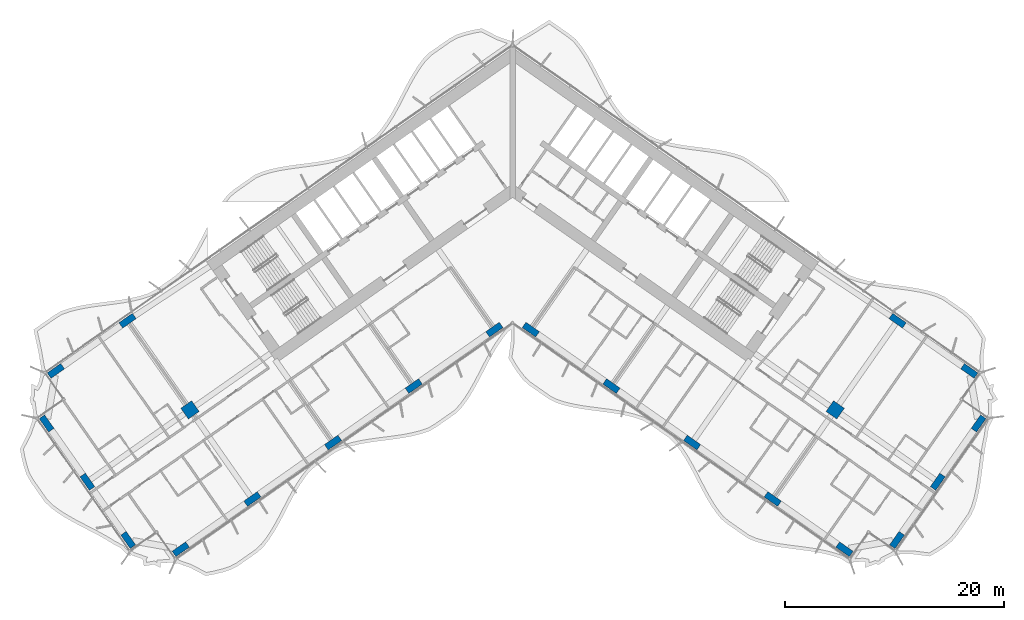
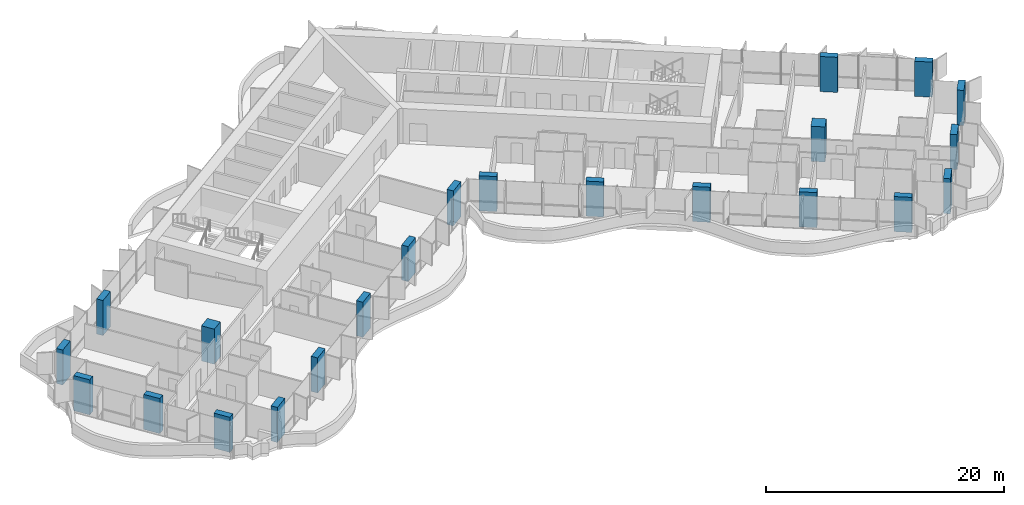
# One storey, part 1 of 24: 22 columns.
"""IFC4 building model written with IfcOpenShell, lengths in metres."""

from ifc_helpers import new_model, si_unit, direction, frame, origin, origin_2d, place, context, subcontext, project, spatial, rectangle, extrude, material, material_profile, profile_set, type_object, element, save


model = new_model("IFC4")

# Units and contexts
model_context = context("Model", 3, precision=1e-05, world=origin(), true_north=direction((0.0, 1.0)))
body_context = subcontext(model_context, "Body", "Model", "MODEL_VIEW")
ifc_project = project(units=[si_unit("LENGTHUNIT", "METRE"), si_unit("AREAUNIT", "SQUARE_METRE"), si_unit("VOLUMEUNIT", "CUBIC_METRE"), si_unit("PLANEANGLEUNIT", "RADIAN"), si_unit("MASSUNIT", "GRAM", prefix="KILO")], contexts=[model_context])

# Site, building, storey
site_placement = place(None, origin())
site = spatial("IfcSite", under=ifc_project, at=site_placement, CompositionType="ELEMENT")
building_placement = place(site_placement, origin())
building = spatial("IfcBuilding", under=site, at=building_placement, Name="Tel Ilan Convention Tower", CompositionType="ELEMENT")
storey_placement = place(building_placement, frame((0.0, 0.0, 68.89990234375)))
storey = spatial("IfcBuildingStorey", under=building, at=storey_placement, Name="L12", CompositionType="ELEMENT", Elevation=68.89990234375)

# Columns
ifc_material_1 = material(Name="Concrete C60/75", Category="concrete")
ifc_material_profile_1 = material_profile(ifc_material_1, rectangle(XDim=1.199951171875, YDim=1.199951171875, at=origin_2d()), Name="RC 1200x1200")
ifc_profile_set_1 = profile_set([ifc_material_profile_1], Name="Concrete C60/75")
column_type_1 = type_object("IfcColumnType", Name="Column RC 1200x1200 C60/75", PredefinedType="COLUMN", material=ifc_profile_set_1)
for number, where, z_axis, x_axis, name in (
    (1, (-29.489501953125, -20.648681640625, 0.0), (0.0, 0.0, 1.0), (-0.819152044289, -0.573576436351, 0.0), "L12 column W-M4"),
    (2, (29.489501953125, -20.648681640625, 0.0), (0.0, 0.0, 1.0), (0.819152044289, -0.573576436351, 0.0), "L12 column E-M4"),
):
    element("IfcColumn", number, at=place(storey_placement, frame(where, z_axis=z_axis, x_axis=x_axis)), inside=storey, type_object=column_type_1, Name=name, PredefinedType="COLUMN", context=body_context, shape_type="SweptSolid", body=[
        extrude(rectangle(XDim=1.199951171875, YDim=1.199951171875, at=origin_2d()), origin(), (0.0, 0.0, 1.0), 3.60009765625),
    ])
ifc_material_2 = material(Name="Concrete C60/75", Category="concrete")
ifc_material_profile_2 = material_profile(ifc_material_2, rectangle(XDim=1.5, YDim=0.60009765625, at=origin_2d()), Name="RC 600x1500")
ifc_profile_set_2 = profile_set([ifc_material_profile_2], Name="Concrete C60/75")
column_type_2 = type_object("IfcColumnType", Name="Column RC 600x1500 C60/75", PredefinedType="COLUMN", material=ifc_profile_set_2)
for number, where, z_axis, x_axis, name in (
    (3, (-1.665283203125, -13.312744140625, 0.0), (0.0, 0.0, 1.0), (-0.819152044289, -0.573576436351, 0.0), "L12 column W-F1"),
    (4, (-9.03759765625, -18.474853515625, 0.0), (0.0, 0.0, 1.0), (-0.819152044289, -0.573576436351, 0.0), "L12 column W-F2"),
    (5, (-16.409912109375, -23.63720703125, 0.0), (0.0, 0.0, 1.0), (-0.819152044289, -0.573576436351, 0.0), "L12 column W-F3"),
    (6, (-23.782470703125, -28.79931640625, 0.0), (0.0, 0.0, 1.0), (-0.819152044289, -0.573576436351, 0.0), "L12 column W-F4"),
    (7, (-30.335693359375, -33.387939453125, 0.0), (0.0, 0.0, 1.0), (-0.819152044289, -0.573576436351, 0.0), "L12 column W-FC"),
    (8, (-35.196533203125, -12.498291015625, 0.0), (0.0, 0.0, 1.0), (-0.819152044289, -0.573576436351, 0.0), "L12 column W-B4"),
    (9, (-41.749755859375, -17.0869140625, 0.0), (0.0, 0.0, 1.0), (-0.819152044289, -0.573576436351, 0.0), "L12 column W-BC"),
    (10, (-35.140380859375, -32.540771484375, 0.0), (0.0, 0.0, 1.0), (-0.573576436351, 0.819152044289, 0.0), "L12 column W-E1"),
    (11, (-38.868896484375, -27.21630859375, 0.0), (0.0, 0.0, 1.0), (-0.573576436351, 0.819152044289, 0.0), "L12 column W-E2"),
    (12, (-42.596923828125, -21.8916015625, 0.0), (0.0, 0.0, 1.0), (-0.573576436351, 0.819152044289, 0.0), "L12 column W-E3"),
    (13, (1.665283203125, -13.312744140625, 0.0), (0.0, 0.0, 1.0), (0.819152044289, -0.573576436351, 0.0), "L12 column E-F1"),
    (14, (9.03759765625, -18.474853515625, 0.0), (0.0, 0.0, 1.0), (0.819152044289, -0.573576436351, 0.0), "L12 column E-F2"),
    (15, (16.409912109375, -23.63720703125, 0.0), (0.0, 0.0, 1.0), (0.819152044289, -0.573576436351, 0.0), "L12 column E-F3"),
    (16, (23.782470703125, -28.79931640625, 0.0), (0.0, 0.0, 1.0), (0.819152044289, -0.573576436351, 0.0), "L12 column E-F4"),
    (17, (30.335693359375, -33.387939453125, 0.0), (0.0, 0.0, 1.0), (0.819152044289, -0.573576436351, 0.0), "L12 column E-FC"),
    (18, (35.196533203125, -12.498291015625, 0.0), (0.0, 0.0, 1.0), (0.819152044289, -0.573576436351, 0.0), "L12 column E-B4"),
    (19, (41.749755859375, -17.0869140625, 0.0), (0.0, 0.0, 1.0), (0.819152044289, -0.573576436351, 0.0), "L12 column E-BC"),
    (20, (35.140380859375, -32.540771484375, 0.0), (0.0, 0.0, 1.0), (0.573576436351, 0.819152044289, 0.0), "L12 column E-E1"),
    (21, (38.868896484375, -27.21630859375, 0.0), (0.0, 0.0, 1.0), (0.573576436351, 0.819152044289, 0.0), "L12 column E-E2"),
    (22, (42.596923828125, -21.8916015625, 0.0), (0.0, 0.0, 1.0), (0.573576436351, 0.819152044289, 0.0), "L12 column E-E3"),
):
    element("IfcColumn", number, at=place(storey_placement, frame(where, z_axis=z_axis, x_axis=x_axis)), inside=storey, type_object=column_type_2, Name=name, PredefinedType="COLUMN", context=body_context, shape_type="SweptSolid", body=[
        extrude(rectangle(XDim=1.5, YDim=0.60009765625, at=origin_2d()), origin(), (0.0, 0.0, 1.0), 3.60009765625),
    ])

save(model, "model.ifc")
